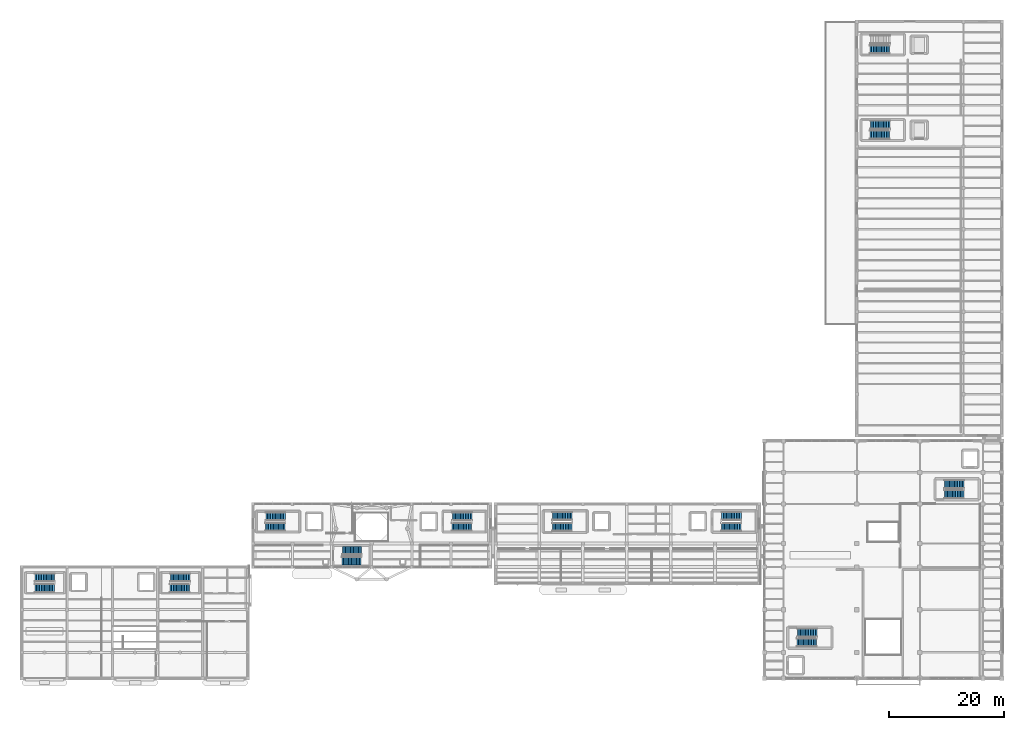
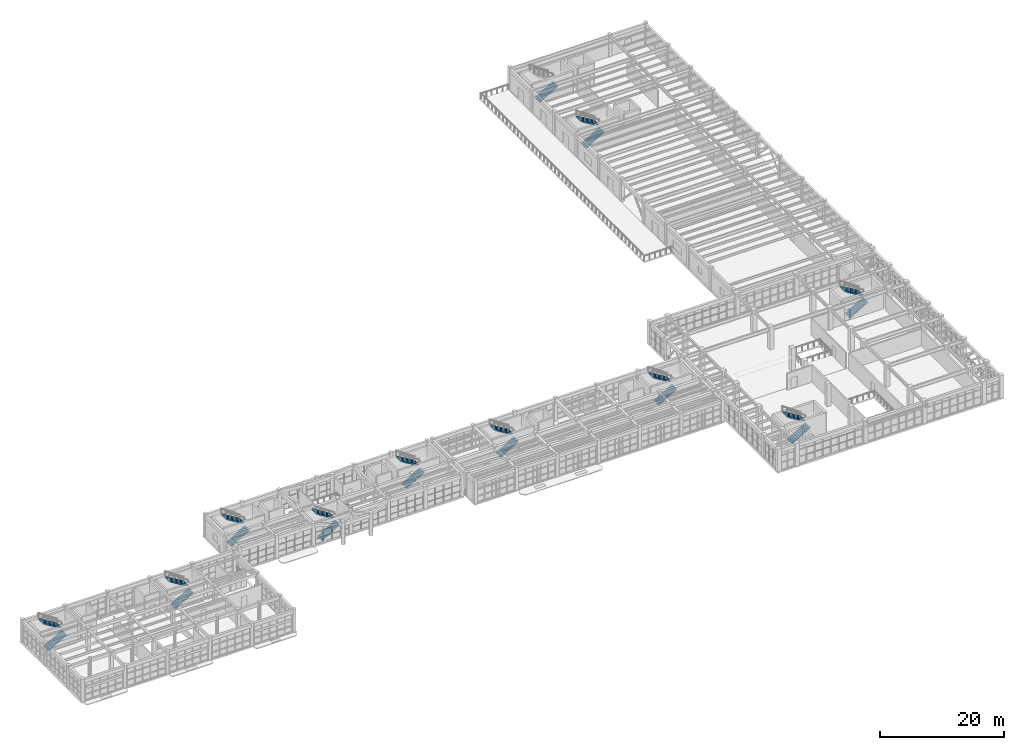
# One storey, part 73 of 85: 21 stair flights, 11 elements without a shape of their own.
"""IFC4 building model written with IfcOpenShell, lengths in metres."""

from ifc_helpers import new_model, si_unit, direction, frame, origin, place, context, subcontext, project, spatial, polyline, outline, extrude, material, type_object, element, aggregate, save


model = new_model("IFC4")

# Units and contexts
model_context = context("Model", 3, precision=1e-05, world=origin(), true_north=direction((0.0, 1.0)))
body_context = subcontext(model_context, "Body", "Model", "MODEL_VIEW")
ifc_project = project(units=[si_unit("LENGTHUNIT", "METRE"), si_unit("AREAUNIT", "SQUARE_METRE"), si_unit("VOLUMEUNIT", "CUBIC_METRE"), si_unit("PLANEANGLEUNIT", "RADIAN"), si_unit("MASSUNIT", "GRAM", prefix="KILO")], contexts=[model_context])

# Site, building, storey
site_placement = place(None, origin())
site = spatial("IfcSite", under=ifc_project, at=site_placement, CompositionType="ELEMENT")
building_placement = place(site_placement, origin())
building = spatial("IfcBuilding", under=site, at=building_placement, Name="Candilejo Ridge Gondola Terminal", CompositionType="ELEMENT")
storey_placement = place(building_placement, frame((0.0, 0.0, 4.5)))
storey = spatial("IfcBuildingStorey", under=building, at=storey_placement, Name="L01", CompositionType="ELEMENT", Elevation=4.5)

# Stair, stair flights
ifc_material_1 = material(Name="Concrete f'c 35 MPa (C35/45)", Category="concrete")
stair_type_1 = type_object("IfcStairType", Name="STR-STAIR-1450-4500", PredefinedType="HALF_TURN_STAIR", material=ifc_material_1)
stair_1_placement = place(storey_placement, origin())
stair_1 = element("IfcStair", 1, at=stair_1_placement, inside=storey, type_object=stair_type_1, Name="Enclosed fire exit stair ST-V1A-L01", PredefinedType="HALF_TURN_STAIR")
ifc_material_2 = material(Name="Concrete f'c 35 MPa (C35/45)", Category="concrete")
stair_flight_type_1 = type_object("IfcStairFlightType", Name="STR-FLIGHT-CORE-1450", PredefinedType="STRAIGHT", material=ifc_material_2)
stair_flight_1_placement = place(storey_placement, frame((6.550048828125, 21.989990234375, 0.0), z_axis=(0.0, 0.0, 1.0), x_axis=(1.0, 0.0, 0.0)))
stair_flight_1 = element("IfcStairFlight", 2, at=stair_flight_1_placement, type_object=stair_flight_type_1, Name="Stair flight ST-V1A-F03", NumberOfRisers=13, NumberOfTreads=12, PredefinedType="STRAIGHT", RiserHeight=0.17308, TreadLength=0.285, context=body_context, shape_type="SweptSolid", body=[
    extrude(outline(polyline([(0.0, 0.0), (0.0, 0.173095703125), (0.284912109375, 0.173095703125), (0.284912109375, 0.34619140625), (0.570068359375, 0.34619140625), (0.570068359375, 0.519287109375), (0.85498046875, 0.519287109375), (0.85498046875, 0.6923828125), (1.139892578125, 0.6923828125), (1.139892578125, 0.865478515625), (1.425048828125, 0.865478515625), (1.425048828125, 1.03857421875), (1.7099609375, 1.03857421875), (1.7099609375, 1.211669921875), (1.9951171875, 1.211669921875), (1.9951171875, 1.384521484375), (2.280029296875, 1.384521484375), (2.280029296875, 1.5576171875), (2.56494140625, 1.5576171875), (2.56494140625, 1.730712890625), (2.85009765625, 1.730712890625), (2.85009765625, 1.90380859375), (3.135009765625, 1.90380859375), (3.135009765625, 2.076904296875), (3.419921875, 2.076904296875), (3.419921875, 2.25), (3.419921875, 1.866455078125), (0.3466796875, 0.0), (0.0, 0.0)])), frame((0.0, 0.72509765625, 0.0), z_axis=(0.0, -1.0, 0.0), x_axis=(1.0, 0.0, 0.0)), (0.0, 0.0, 1.0), 1.449951171875),
])
stair_flight_2_placement = place(storey_placement, frame((10.030029296875, 23.860107421875, 2.25), z_axis=(0.0, 0.0, 1.0), x_axis=(-1.0, 0.0, 0.0)))
stair_flight_2 = element("IfcStairFlight", 3, at=stair_flight_2_placement, type_object=stair_flight_type_1, Name="Stair flight ST-V1A-F04", NumberOfRisers=13, NumberOfTreads=12, PredefinedType="STRAIGHT", RiserHeight=0.17308, TreadLength=0.285, context=body_context, shape_type="SweptSolid", body=[
    extrude(outline(polyline([(0.0, 0.0), (0.0, 0.173095703125), (0.284912109375, 0.173095703125), (0.284912109375, 0.34619140625), (0.570068359375, 0.34619140625), (0.570068359375, 0.519287109375), (0.85498046875, 0.519287109375), (0.85498046875, 0.6923828125), (1.139892578125, 0.6923828125), (1.139892578125, 0.865478515625), (1.425048828125, 0.865478515625), (1.425048828125, 1.03857421875), (1.7099609375, 1.03857421875), (1.7099609375, 1.211669921875), (1.9951171875, 1.211669921875), (1.9951171875, 1.384521484375), (2.280029296875, 1.384521484375), (2.280029296875, 1.5576171875), (2.56494140625, 1.5576171875), (2.56494140625, 1.730712890625), (2.85009765625, 1.730712890625), (2.85009765625, 1.90380859375), (3.135009765625, 1.90380859375), (3.135009765625, 2.076904296875), (3.419921875, 2.076904296875), (3.419921875, 2.25), (3.419921875, 1.866455078125), (0.3466796875, 0.0), (0.0, 0.0)])), frame((0.0, 0.72509765625, 0.0), z_axis=(0.0, -1.0, 0.0), x_axis=(1.0, 0.0, 0.0)), (0.0, 0.0, 1.0), 1.449951171875),
])
aggregate(stair_1, [stair_flight_1, stair_flight_2])

stair_2_placement = place(storey_placement, origin())
stair_2 = element("IfcStair", 4, at=stair_2_placement, inside=storey, type_object=stair_type_1, Name="Enclosed fire exit stair ST-V1B-L01", PredefinedType="HALF_TURN_STAIR")
stair_flight_3_placement = place(storey_placement, frame((30.14990234375, 21.989990234375, 0.0), z_axis=(0.0, 0.0, 1.0), x_axis=(1.0, 0.0, 0.0)))
stair_flight_3 = element("IfcStairFlight", 5, at=stair_flight_3_placement, type_object=stair_flight_type_1, Name="Stair flight ST-V1B-F03", NumberOfRisers=13, NumberOfTreads=12, PredefinedType="STRAIGHT", RiserHeight=0.17308, TreadLength=0.285, context=body_context, shape_type="SweptSolid", body=[
    extrude(outline(polyline([(0.0, 0.0), (0.0, 0.173095703125), (0.284912109375, 0.173095703125), (0.284912109375, 0.34619140625), (0.570068359375, 0.34619140625), (0.570068359375, 0.519287109375), (0.85498046875, 0.519287109375), (0.85498046875, 0.6923828125), (1.139892578125, 0.6923828125), (1.139892578125, 0.865478515625), (1.425048828125, 0.865478515625), (1.425048828125, 1.03857421875), (1.7099609375, 1.03857421875), (1.7099609375, 1.211669921875), (1.9951171875, 1.211669921875), (1.9951171875, 1.384521484375), (2.280029296875, 1.384521484375), (2.280029296875, 1.5576171875), (2.56494140625, 1.5576171875), (2.56494140625, 1.730712890625), (2.85009765625, 1.730712890625), (2.85009765625, 1.90380859375), (3.135009765625, 1.90380859375), (3.135009765625, 2.076904296875), (3.419921875, 2.076904296875), (3.419921875, 2.25), (3.419921875, 1.866455078125), (0.3466796875, 0.0), (0.0, 0.0)])), frame((0.0, 0.72509765625, 0.0), z_axis=(0.0, -1.0, 0.0), x_axis=(1.0, 0.0, 0.0)), (0.0, 0.0, 1.0), 1.449951171875),
])
stair_flight_4_placement = place(storey_placement, frame((33.6298828125, 23.860107421875, 2.25), z_axis=(0.0, 0.0, 1.0), x_axis=(-1.0, 0.0, 0.0)))
stair_flight_4 = element("IfcStairFlight", 6, at=stair_flight_4_placement, type_object=stair_flight_type_1, Name="Stair flight ST-V1B-F04", NumberOfRisers=13, NumberOfTreads=12, PredefinedType="STRAIGHT", RiserHeight=0.17308, TreadLength=0.285, context=body_context, shape_type="SweptSolid", body=[
    extrude(outline(polyline([(0.0, 0.0), (0.0, 0.173095703125), (0.284912109375, 0.173095703125), (0.284912109375, 0.34619140625), (0.570068359375, 0.34619140625), (0.570068359375, 0.519287109375), (0.85498046875, 0.519287109375), (0.85498046875, 0.6923828125), (1.139892578125, 0.6923828125), (1.139892578125, 0.865478515625), (1.425048828125, 0.865478515625), (1.425048828125, 1.03857421875), (1.7099609375, 1.03857421875), (1.7099609375, 1.211669921875), (1.9951171875, 1.211669921875), (1.9951171875, 1.384521484375), (2.280029296875, 1.384521484375), (2.280029296875, 1.5576171875), (2.56494140625, 1.5576171875), (2.56494140625, 1.730712890625), (2.85009765625, 1.730712890625), (2.85009765625, 1.90380859375), (3.135009765625, 1.90380859375), (3.135009765625, 2.076904296875), (3.419921875, 2.076904296875), (3.419921875, 2.25), (3.419921875, 1.866455078125), (0.3466796875, 0.0), (0.0, 0.0)])), frame((0.0, 0.72509765625, 0.0), z_axis=(0.0, -1.0, 0.0), x_axis=(1.0, 0.0, 0.0)), (0.0, 0.0, 1.0), 1.449951171875),
])
aggregate(stair_2, [stair_flight_3, stair_flight_4])

stair_3_placement = place(storey_placement, origin())
stair_3 = element("IfcStair", 7, at=stair_3_placement, inside=storey, type_object=stair_type_1, Name="Enclosed fire exit stair ST-V2A-L01", PredefinedType="HALF_TURN_STAIR")
stair_flight_5_placement = place(storey_placement, frame((46.800048828125, 32.68994140625, 0.0), z_axis=(0.0, 0.0, 1.0), x_axis=(1.0, 0.0, 0.0)))
stair_flight_5 = element("IfcStairFlight", 8, at=stair_flight_5_placement, type_object=stair_flight_type_1, Name="Stair flight ST-V2A-F03", NumberOfRisers=13, NumberOfTreads=12, PredefinedType="STRAIGHT", RiserHeight=0.17308, TreadLength=0.285, context=body_context, shape_type="SweptSolid", body=[
    extrude(outline(polyline([(0.0, 0.0), (0.0, 0.173095703125), (0.284912109375, 0.173095703125), (0.284912109375, 0.34619140625), (0.570068359375, 0.34619140625), (0.570068359375, 0.519287109375), (0.85498046875, 0.519287109375), (0.85498046875, 0.6923828125), (1.139892578125, 0.6923828125), (1.139892578125, 0.865478515625), (1.425048828125, 0.865478515625), (1.425048828125, 1.03857421875), (1.7099609375, 1.03857421875), (1.7099609375, 1.211669921875), (1.9951171875, 1.211669921875), (1.9951171875, 1.384521484375), (2.280029296875, 1.384521484375), (2.280029296875, 1.5576171875), (2.56494140625, 1.5576171875), (2.56494140625, 1.730712890625), (2.85009765625, 1.730712890625), (2.85009765625, 1.90380859375), (3.135009765625, 1.90380859375), (3.135009765625, 2.076904296875), (3.419921875, 2.076904296875), (3.419921875, 2.25), (3.419921875, 1.866455078125), (0.3466796875, 0.0), (0.0, 0.0)])), frame((0.0, 0.72509765625, 0.0), z_axis=(0.0, -1.0, 0.0), x_axis=(1.0, 0.0, 0.0)), (0.0, 0.0, 1.0), 1.449951171875),
])
stair_flight_6_placement = place(storey_placement, frame((50.280029296875, 34.56005859375, 2.25), z_axis=(0.0, 0.0, 1.0), x_axis=(-1.0, 0.0, 0.0)))
stair_flight_6 = element("IfcStairFlight", 9, at=stair_flight_6_placement, type_object=stair_flight_type_1, Name="Stair flight ST-V2A-F04", NumberOfRisers=13, NumberOfTreads=12, PredefinedType="STRAIGHT", RiserHeight=0.17308, TreadLength=0.285, context=body_context, shape_type="SweptSolid", body=[
    extrude(outline(polyline([(0.0, 0.0), (0.0, 0.173095703125), (0.284912109375, 0.173095703125), (0.284912109375, 0.34619140625), (0.570068359375, 0.34619140625), (0.570068359375, 0.519287109375), (0.85498046875, 0.519287109375), (0.85498046875, 0.6923828125), (1.139892578125, 0.6923828125), (1.139892578125, 0.865478515625), (1.425048828125, 0.865478515625), (1.425048828125, 1.03857421875), (1.7099609375, 1.03857421875), (1.7099609375, 1.211669921875), (1.9951171875, 1.211669921875), (1.9951171875, 1.384521484375), (2.280029296875, 1.384521484375), (2.280029296875, 1.5576171875), (2.56494140625, 1.5576171875), (2.56494140625, 1.730712890625), (2.85009765625, 1.730712890625), (2.85009765625, 1.90380859375), (3.135009765625, 1.90380859375), (3.135009765625, 2.076904296875), (3.419921875, 2.076904296875), (3.419921875, 2.25), (3.419921875, 1.866455078125), (0.3466796875, 0.0), (0.0, 0.0)])), frame((0.0, 0.72509765625, 0.0), z_axis=(0.0, -1.0, 0.0), x_axis=(1.0, 0.0, 0.0)), (0.0, 0.0, 1.0), 1.449951171875),
])
aggregate(stair_3, [stair_flight_5, stair_flight_6])

stair_4_placement = place(storey_placement, origin())
stair_4 = element("IfcStair", 10, at=stair_4_placement, inside=storey, type_object=stair_type_1, Name="Enclosed fire exit stair ST-V2B-L01", PredefinedType="HALF_TURN_STAIR")
stair_flight_7_placement = place(storey_placement, frame((79.35009765625, 32.68994140625, 0.0), z_axis=(0.0, 0.0, 1.0), x_axis=(1.0, 0.0, 0.0)))
stair_flight_7 = element("IfcStairFlight", 11, at=stair_flight_7_placement, type_object=stair_flight_type_1, Name="Stair flight ST-V2B-F03", NumberOfRisers=13, NumberOfTreads=12, PredefinedType="STRAIGHT", RiserHeight=0.17308, TreadLength=0.285, context=body_context, shape_type="SweptSolid", body=[
    extrude(outline(polyline([(0.0, 0.0), (0.0, 0.173095703125), (0.284912109375, 0.173095703125), (0.284912109375, 0.34619140625), (0.570068359375, 0.34619140625), (0.570068359375, 0.519287109375), (0.85498046875, 0.519287109375), (0.85498046875, 0.6923828125), (1.139892578125, 0.6923828125), (1.139892578125, 0.865478515625), (1.425048828125, 0.865478515625), (1.425048828125, 1.03857421875), (1.7099609375, 1.03857421875), (1.7099609375, 1.211669921875), (1.9951171875, 1.211669921875), (1.9951171875, 1.384521484375), (2.280029296875, 1.384521484375), (2.280029296875, 1.5576171875), (2.56494140625, 1.5576171875), (2.56494140625, 1.730712890625), (2.85009765625, 1.730712890625), (2.85009765625, 1.90380859375), (3.135009765625, 1.90380859375), (3.135009765625, 2.076904296875), (3.419921875, 2.076904296875), (3.419921875, 2.25), (3.419921875, 1.866455078125), (0.3466796875, 0.0), (0.0, 0.0)])), frame((0.0, 0.72509765625, 0.0), z_axis=(0.0, -1.0, 0.0), x_axis=(1.0, 0.0, 0.0)), (0.0, 0.0, 1.0), 1.449951171875),
])
stair_flight_8_placement = place(storey_placement, frame((82.830078125, 34.56005859375, 2.25), z_axis=(0.0, 0.0, 1.0), x_axis=(-1.0, 0.0, 0.0)))
stair_flight_8 = element("IfcStairFlight", 12, at=stair_flight_8_placement, type_object=stair_flight_type_1, Name="Stair flight ST-V2B-F04", NumberOfRisers=13, NumberOfTreads=12, PredefinedType="STRAIGHT", RiserHeight=0.17308, TreadLength=0.285, context=body_context, shape_type="SweptSolid", body=[
    extrude(outline(polyline([(0.0, 0.0), (0.0, 0.173095703125), (0.284912109375, 0.173095703125), (0.284912109375, 0.34619140625), (0.570068359375, 0.34619140625), (0.570068359375, 0.519287109375), (0.85498046875, 0.519287109375), (0.85498046875, 0.6923828125), (1.139892578125, 0.6923828125), (1.139892578125, 0.865478515625), (1.425048828125, 0.865478515625), (1.425048828125, 1.03857421875), (1.7099609375, 1.03857421875), (1.7099609375, 1.211669921875), (1.9951171875, 1.211669921875), (1.9951171875, 1.384521484375), (2.280029296875, 1.384521484375), (2.280029296875, 1.5576171875), (2.56494140625, 1.5576171875), (2.56494140625, 1.730712890625), (2.85009765625, 1.730712890625), (2.85009765625, 1.90380859375), (3.135009765625, 1.90380859375), (3.135009765625, 2.076904296875), (3.419921875, 2.076904296875), (3.419921875, 2.25), (3.419921875, 1.866455078125), (0.3466796875, 0.0), (0.0, 0.0)])), frame((0.0, 0.72509765625, 0.0), z_axis=(0.0, -1.0, 0.0), x_axis=(1.0, 0.0, 0.0)), (0.0, 0.0, 1.0), 1.449951171875),
])
aggregate(stair_4, [stair_flight_7, stair_flight_8])

stair_5_placement = place(storey_placement, origin())
stair_5 = element("IfcStair", 13, at=stair_5_placement, inside=storey, type_object=stair_type_1, Name="Enclosed fire exit stair ST-V3A-L01", PredefinedType="HALF_TURN_STAIR")
stair_flight_9_placement = place(storey_placement, frame((96.85009765625, 32.652587890625, 0.0), z_axis=(0.0, 0.0, 1.0), x_axis=(1.0, 0.0, 0.0)))
stair_flight_9 = element("IfcStairFlight", 14, at=stair_flight_9_placement, type_object=stair_flight_type_1, Name="Stair flight ST-V3A-F03", NumberOfRisers=13, NumberOfTreads=12, PredefinedType="STRAIGHT", RiserHeight=0.17308, TreadLength=0.285, context=body_context, shape_type="SweptSolid", body=[
    extrude(outline(polyline([(0.0, 0.0), (0.0, 0.173095703125), (0.284912109375, 0.173095703125), (0.284912109375, 0.34619140625), (0.570068359375, 0.34619140625), (0.570068359375, 0.519287109375), (0.85498046875, 0.519287109375), (0.85498046875, 0.6923828125), (1.139892578125, 0.6923828125), (1.139892578125, 0.865478515625), (1.425048828125, 0.865478515625), (1.425048828125, 1.03857421875), (1.7099609375, 1.03857421875), (1.7099609375, 1.211669921875), (1.9951171875, 1.211669921875), (1.9951171875, 1.384521484375), (2.280029296875, 1.384521484375), (2.280029296875, 1.5576171875), (2.56494140625, 1.5576171875), (2.56494140625, 1.730712890625), (2.85009765625, 1.730712890625), (2.85009765625, 1.90380859375), (3.135009765625, 1.90380859375), (3.135009765625, 2.076904296875), (3.419921875, 2.076904296875), (3.419921875, 2.25), (3.419921875, 1.866455078125), (0.3466796875, 0.0), (0.0, 0.0)])), frame((0.0, 0.72509765625, 0.0), z_axis=(0.0, -1.0, 0.0), x_axis=(1.0, 0.0, 0.0)), (0.0, 0.0, 1.0), 1.449951171875),
])
stair_flight_10_placement = place(storey_placement, frame((100.330078125, 34.597412109375, 2.25), z_axis=(0.0, 0.0, 1.0), x_axis=(-1.0, 0.0, 0.0)))
stair_flight_10 = element("IfcStairFlight", 15, at=stair_flight_10_placement, type_object=stair_flight_type_1, Name="Stair flight ST-V3A-F04", NumberOfRisers=13, NumberOfTreads=12, PredefinedType="STRAIGHT", RiserHeight=0.17308, TreadLength=0.285, context=body_context, shape_type="SweptSolid", body=[
    extrude(outline(polyline([(0.0, 0.0), (0.0, 0.173095703125), (0.284912109375, 0.173095703125), (0.284912109375, 0.34619140625), (0.570068359375, 0.34619140625), (0.570068359375, 0.519287109375), (0.85498046875, 0.519287109375), (0.85498046875, 0.6923828125), (1.139892578125, 0.6923828125), (1.139892578125, 0.865478515625), (1.425048828125, 0.865478515625), (1.425048828125, 1.03857421875), (1.7099609375, 1.03857421875), (1.7099609375, 1.211669921875), (1.9951171875, 1.211669921875), (1.9951171875, 1.384521484375), (2.280029296875, 1.384521484375), (2.280029296875, 1.5576171875), (2.56494140625, 1.5576171875), (2.56494140625, 1.730712890625), (2.85009765625, 1.730712890625), (2.85009765625, 1.90380859375), (3.135009765625, 1.90380859375), (3.135009765625, 2.076904296875), (3.419921875, 2.076904296875), (3.419921875, 2.25), (3.419921875, 1.866455078125), (0.3466796875, 0.0), (0.0, 0.0)])), frame((0.0, 0.72509765625, 0.0), z_axis=(0.0, -1.0, 0.0), x_axis=(1.0, 0.0, 0.0)), (0.0, 0.0, 1.0), 1.449951171875),
])
aggregate(stair_5, [stair_flight_9, stair_flight_10])

stair_6_placement = place(storey_placement, origin())
stair_6 = element("IfcStair", 16, at=stair_6_placement, inside=storey, type_object=stair_type_1, Name="Enclosed fire exit stair ST-V3B-L01", PredefinedType="HALF_TURN_STAIR")
stair_flight_11_placement = place(storey_placement, frame((126.35009765625, 32.652587890625, 0.0), z_axis=(0.0, 0.0, 1.0), x_axis=(1.0, 0.0, 0.0)))
stair_flight_11 = element("IfcStairFlight", 17, at=stair_flight_11_placement, type_object=stair_flight_type_1, Name="Stair flight ST-V3B-F03", NumberOfRisers=13, NumberOfTreads=12, PredefinedType="STRAIGHT", RiserHeight=0.17308, TreadLength=0.285, context=body_context, shape_type="SweptSolid", body=[
    extrude(outline(polyline([(0.0, 0.0), (0.0, 0.173095703125), (0.284912109375, 0.173095703125), (0.284912109375, 0.34619140625), (0.570068359375, 0.34619140625), (0.570068359375, 0.519287109375), (0.85498046875, 0.519287109375), (0.85498046875, 0.6923828125), (1.139892578125, 0.6923828125), (1.139892578125, 0.865478515625), (1.425048828125, 0.865478515625), (1.425048828125, 1.03857421875), (1.7099609375, 1.03857421875), (1.7099609375, 1.211669921875), (1.9951171875, 1.211669921875), (1.9951171875, 1.384521484375), (2.280029296875, 1.384521484375), (2.280029296875, 1.5576171875), (2.56494140625, 1.5576171875), (2.56494140625, 1.730712890625), (2.85009765625, 1.730712890625), (2.85009765625, 1.90380859375), (3.135009765625, 1.90380859375), (3.135009765625, 2.076904296875), (3.419921875, 2.076904296875), (3.419921875, 2.25), (3.419921875, 1.866455078125), (0.3466796875, 0.0), (0.0, 0.0)])), frame((0.0, 0.72509765625, 0.0), z_axis=(0.0, -1.0, 0.0), x_axis=(1.0, 0.0, 0.0)), (0.0, 0.0, 1.0), 1.449951171875),
])
stair_flight_12_placement = place(storey_placement, frame((129.830078125, 34.597412109375, 2.25), z_axis=(0.0, 0.0, 1.0), x_axis=(-1.0, 0.0, 0.0)))
stair_flight_12 = element("IfcStairFlight", 18, at=stair_flight_12_placement, type_object=stair_flight_type_1, Name="Stair flight ST-V3B-F04", NumberOfRisers=13, NumberOfTreads=12, PredefinedType="STRAIGHT", RiserHeight=0.17308, TreadLength=0.285, context=body_context, shape_type="SweptSolid", body=[
    extrude(outline(polyline([(0.0, 0.0), (0.0, 0.173095703125), (0.284912109375, 0.173095703125), (0.284912109375, 0.34619140625), (0.570068359375, 0.34619140625), (0.570068359375, 0.519287109375), (0.85498046875, 0.519287109375), (0.85498046875, 0.6923828125), (1.139892578125, 0.6923828125), (1.139892578125, 0.865478515625), (1.425048828125, 0.865478515625), (1.425048828125, 1.03857421875), (1.7099609375, 1.03857421875), (1.7099609375, 1.211669921875), (1.9951171875, 1.211669921875), (1.9951171875, 1.384521484375), (2.280029296875, 1.384521484375), (2.280029296875, 1.5576171875), (2.56494140625, 1.5576171875), (2.56494140625, 1.730712890625), (2.85009765625, 1.730712890625), (2.85009765625, 1.90380859375), (3.135009765625, 1.90380859375), (3.135009765625, 2.076904296875), (3.419921875, 2.076904296875), (3.419921875, 2.25), (3.419921875, 1.866455078125), (0.3466796875, 0.0), (0.0, 0.0)])), frame((0.0, 0.72509765625, 0.0), z_axis=(0.0, -1.0, 0.0), x_axis=(1.0, 0.0, 0.0)), (0.0, 0.0, 1.0), 1.449951171875),
])
aggregate(stair_6, [stair_flight_11, stair_flight_12])

ifc_material_3 = material(Name="Concrete f'c 35 MPa (C35/45)", Category="concrete")
stair_type_2 = type_object("IfcStairType", Name="STR-STAIR-PUB-1450", PredefinedType="HALF_TURN_STAIR", material=ifc_material_3)
stair_7_placement = place(storey_placement, origin())
stair_7 = element("IfcStair", 19, at=stair_7_placement, inside=storey, type_object=stair_type_2, Name="Public concourse stair ST-PUB-02 (L01)", PredefinedType="HALF_TURN_STAIR")
stair_flight_13_placement = place(storey_placement, frame((60.159912109375, 26.739990234375, 0.0), z_axis=(0.0, 0.0, 1.0), x_axis=(1.0, 0.0, 0.0)))
stair_flight_13 = element("IfcStairFlight", 20, at=stair_flight_13_placement, type_object=stair_flight_type_1, Name="Public stair flight ST-P02-F01", NumberOfRisers=13, NumberOfTreads=12, PredefinedType="STRAIGHT", RiserHeight=0.17308, TreadLength=0.28, context=body_context, shape_type="SweptSolid", body=[
    extrude(outline(polyline([(0.0, 0.0), (0.0, 0.173095703125), (0.280029296875, 0.173095703125), (0.280029296875, 0.34619140625), (0.56005859375, 0.34619140625), (0.56005859375, 0.519287109375), (0.840087890625, 0.519287109375), (0.840087890625, 0.6923828125), (1.1201171875, 0.6923828125), (1.1201171875, 0.865478515625), (1.39990234375, 0.865478515625), (1.39990234375, 1.03857421875), (1.679931640625, 1.03857421875), (1.679931640625, 1.211669921875), (1.9599609375, 1.211669921875), (1.9599609375, 1.384521484375), (2.239990234375, 1.384521484375), (2.239990234375, 1.5576171875), (2.52001953125, 1.5576171875), (2.52001953125, 1.730712890625), (2.800048828125, 1.730712890625), (2.800048828125, 1.90380859375), (3.080078125, 1.90380859375), (3.080078125, 2.076904296875), (3.360107421875, 2.076904296875), (3.360107421875, 2.25), (3.360107421875, 1.865478515625), (0.34228515625, 0.0), (0.0, 0.0)])), frame((0.0, 0.72509765625, 0.0), z_axis=(0.0, -1.0, 0.0), x_axis=(1.0, 0.0, 0.0)), (0.0, 0.0, 1.0), 1.449951171875),
])
stair_flight_14_placement = place(storey_placement, frame((63.580078125, 28.56005859375, 2.25), z_axis=(0.0, 0.0, 1.0), x_axis=(-1.0, 0.0, 0.0)))
stair_flight_14 = element("IfcStairFlight", 21, at=stair_flight_14_placement, type_object=stair_flight_type_1, Name="Public stair flight ST-P02-F02", NumberOfRisers=13, NumberOfTreads=12, PredefinedType="STRAIGHT", RiserHeight=0.17308, TreadLength=0.28, context=body_context, shape_type="SweptSolid", body=[
    extrude(outline(polyline([(0.0, 0.0), (0.0, 0.173095703125), (0.280029296875, 0.173095703125), (0.280029296875, 0.34619140625), (0.56005859375, 0.34619140625), (0.56005859375, 0.519287109375), (0.840087890625, 0.519287109375), (0.840087890625, 0.6923828125), (1.1201171875, 0.6923828125), (1.1201171875, 0.865478515625), (1.39990234375, 0.865478515625), (1.39990234375, 1.03857421875), (1.679931640625, 1.03857421875), (1.679931640625, 1.211669921875), (1.9599609375, 1.211669921875), (1.9599609375, 1.384521484375), (2.239990234375, 1.384521484375), (2.239990234375, 1.5576171875), (2.52001953125, 1.5576171875), (2.52001953125, 1.730712890625), (2.800048828125, 1.730712890625), (2.800048828125, 1.90380859375), (3.080078125, 1.90380859375), (3.080078125, 2.076904296875), (3.360107421875, 2.076904296875), (3.360107421875, 2.25), (3.360107421875, 1.865478515625), (0.34228515625, 0.0), (0.0, 0.0)])), frame((0.0, 0.72509765625, 0.0), z_axis=(0.0, -1.0, 0.0), x_axis=(1.0, 0.0, 0.0)), (0.0, 0.0, 1.0), 1.449951171875),
])
aggregate(stair_7, [stair_flight_13, stair_flight_14])

ifc_material_4 = material(Name="Concrete f'c 35 MPa (C35/45)", Category="concrete")
stair_type_3 = type_object("IfcStairType", Name="STR-STAIR-1500-4500", PredefinedType="HALF_TURN_STAIR", material=ifc_material_4)
stair_8_placement = place(storey_placement, origin())
stair_8 = element("IfcStair", 22, at=stair_8_placement, inside=storey, type_object=stair_type_3, Name="Enclosed fire exit stair ST-V4A-L01", PredefinedType="HALF_TURN_STAIR")
ifc_material_5 = material(Name="Concrete f'c 35 MPa (C35/45)", Category="concrete")
stair_flight_type_2 = type_object("IfcStairFlightType", Name="STR-FLIGHT-CORE-1500", PredefinedType="STRAIGHT", material=ifc_material_5)
stair_flight_15_placement = place(storey_placement, frame((139.550048828125, 12.514892578125, 0.0), z_axis=(0.0, 0.0, 1.0), x_axis=(1.0, 0.0, 0.0)))
stair_flight_15 = element("IfcStairFlight", 23, at=stair_flight_15_placement, type_object=stair_flight_type_2, Name="Stair flight ST-V4A-F03", NumberOfRisers=13, NumberOfTreads=12, PredefinedType="STRAIGHT", RiserHeight=0.17308, TreadLength=0.285, context=body_context, shape_type="SweptSolid", body=[
    extrude(outline(polyline([(0.0, 0.0), (0.0, 0.173095703125), (0.284912109375, 0.173095703125), (0.284912109375, 0.34619140625), (0.570068359375, 0.34619140625), (0.570068359375, 0.519287109375), (0.85498046875, 0.519287109375), (0.85498046875, 0.6923828125), (1.139892578125, 0.6923828125), (1.139892578125, 0.865478515625), (1.425048828125, 0.865478515625), (1.425048828125, 1.03857421875), (1.7099609375, 1.03857421875), (1.7099609375, 1.211669921875), (1.9951171875, 1.211669921875), (1.9951171875, 1.384521484375), (2.280029296875, 1.384521484375), (2.280029296875, 1.5576171875), (2.56494140625, 1.5576171875), (2.56494140625, 1.730712890625), (2.85009765625, 1.730712890625), (2.85009765625, 1.90380859375), (3.135009765625, 1.90380859375), (3.135009765625, 2.076904296875), (3.419921875, 2.076904296875), (3.419921875, 2.25), (3.419921875, 1.866455078125), (0.3466796875, 0.0), (0.0, 0.0)])), frame((0.0, 0.75, 0.0), z_axis=(0.0, -1.0, 0.0), x_axis=(1.0, 0.0, 0.0)), (0.0, 0.0, 1.0), 1.5),
])
stair_flight_16_placement = place(storey_placement, frame((143.030029296875, 14.235107421875, 2.25), z_axis=(0.0, 0.0, 1.0), x_axis=(-1.0, 0.0, 0.0)))
stair_flight_16 = element("IfcStairFlight", 24, at=stair_flight_16_placement, type_object=stair_flight_type_2, Name="Stair flight ST-V4A-F04", NumberOfRisers=13, NumberOfTreads=12, PredefinedType="STRAIGHT", RiserHeight=0.17308, TreadLength=0.285, context=body_context, shape_type="SweptSolid", body=[
    extrude(outline(polyline([(0.0, 0.0), (0.0, 0.173095703125), (0.284912109375, 0.173095703125), (0.284912109375, 0.34619140625), (0.570068359375, 0.34619140625), (0.570068359375, 0.519287109375), (0.85498046875, 0.519287109375), (0.85498046875, 0.6923828125), (1.139892578125, 0.6923828125), (1.139892578125, 0.865478515625), (1.425048828125, 0.865478515625), (1.425048828125, 1.03857421875), (1.7099609375, 1.03857421875), (1.7099609375, 1.211669921875), (1.9951171875, 1.211669921875), (1.9951171875, 1.384521484375), (2.280029296875, 1.384521484375), (2.280029296875, 1.5576171875), (2.56494140625, 1.5576171875), (2.56494140625, 1.730712890625), (2.85009765625, 1.730712890625), (2.85009765625, 1.90380859375), (3.135009765625, 1.90380859375), (3.135009765625, 2.076904296875), (3.419921875, 2.076904296875), (3.419921875, 2.25), (3.419921875, 1.866455078125), (0.3466796875, 0.0), (0.0, 0.0)])), frame((0.0, 0.75, 0.0), z_axis=(0.0, -1.0, 0.0), x_axis=(1.0, 0.0, 0.0)), (0.0, 0.0, 1.0), 1.5),
])
aggregate(stair_8, [stair_flight_15, stair_flight_16])

stair_9_placement = place(storey_placement, origin())
stair_9 = element("IfcStair", 25, at=stair_9_placement, inside=storey, type_object=stair_type_3, Name="Enclosed fire exit stair ST-V4B-L01", PredefinedType="HALF_TURN_STAIR")
stair_flight_17_placement = place(storey_placement, frame((165.25, 38.4150390625, 0.0), z_axis=(0.0, 0.0, 1.0), x_axis=(1.0, 0.0, 0.0)))
stair_flight_17 = element("IfcStairFlight", 26, at=stair_flight_17_placement, type_object=stair_flight_type_2, Name="Stair flight ST-V4B-F03", NumberOfRisers=13, NumberOfTreads=12, PredefinedType="STRAIGHT", RiserHeight=0.17308, TreadLength=0.285, context=body_context, shape_type="SweptSolid", body=[
    extrude(outline(polyline([(0.0, 0.0), (0.0, 0.173095703125), (0.284912109375, 0.173095703125), (0.284912109375, 0.34619140625), (0.570068359375, 0.34619140625), (0.570068359375, 0.519287109375), (0.85498046875, 0.519287109375), (0.85498046875, 0.6923828125), (1.139892578125, 0.6923828125), (1.139892578125, 0.865478515625), (1.425048828125, 0.865478515625), (1.425048828125, 1.03857421875), (1.7099609375, 1.03857421875), (1.7099609375, 1.211669921875), (1.9951171875, 1.211669921875), (1.9951171875, 1.384521484375), (2.280029296875, 1.384521484375), (2.280029296875, 1.5576171875), (2.56494140625, 1.5576171875), (2.56494140625, 1.730712890625), (2.85009765625, 1.730712890625), (2.85009765625, 1.90380859375), (3.135009765625, 1.90380859375), (3.135009765625, 2.076904296875), (3.419921875, 2.076904296875), (3.419921875, 2.25), (3.419921875, 1.866455078125), (0.3466796875, 0.0), (0.0, 0.0)])), frame((0.0, 0.75, 0.0), z_axis=(0.0, -1.0, 0.0), x_axis=(1.0, 0.0, 0.0)), (0.0, 0.0, 1.0), 1.5),
])
stair_flight_18_placement = place(storey_placement, frame((168.72998046875, 40.135009765625, 2.25), z_axis=(0.0, 0.0, 1.0), x_axis=(-1.0, 0.0, 0.0)))
stair_flight_18 = element("IfcStairFlight", 27, at=stair_flight_18_placement, type_object=stair_flight_type_2, Name="Stair flight ST-V4B-F04", NumberOfRisers=13, NumberOfTreads=12, PredefinedType="STRAIGHT", RiserHeight=0.17308, TreadLength=0.285, context=body_context, shape_type="SweptSolid", body=[
    extrude(outline(polyline([(0.0, 0.0), (0.0, 0.173095703125), (0.284912109375, 0.173095703125), (0.284912109375, 0.34619140625), (0.570068359375, 0.34619140625), (0.570068359375, 0.519287109375), (0.85498046875, 0.519287109375), (0.85498046875, 0.6923828125), (1.139892578125, 0.6923828125), (1.139892578125, 0.865478515625), (1.425048828125, 0.865478515625), (1.425048828125, 1.03857421875), (1.7099609375, 1.03857421875), (1.7099609375, 1.211669921875), (1.9951171875, 1.211669921875), (1.9951171875, 1.384521484375), (2.280029296875, 1.384521484375), (2.280029296875, 1.5576171875), (2.56494140625, 1.5576171875), (2.56494140625, 1.730712890625), (2.85009765625, 1.730712890625), (2.85009765625, 1.90380859375), (3.135009765625, 1.90380859375), (3.135009765625, 2.076904296875), (3.419921875, 2.076904296875), (3.419921875, 2.25), (3.419921875, 1.866455078125), (0.3466796875, 0.0), (0.0, 0.0)])), frame((0.0, 0.75, 0.0), z_axis=(0.0, -1.0, 0.0), x_axis=(1.0, 0.0, 0.0)), (0.0, 0.0, 1.0), 1.5),
])
aggregate(stair_9, [stair_flight_17, stair_flight_18])

stair_10_placement = place(storey_placement, origin())
stair_10 = element("IfcStair", 28, at=stair_10_placement, inside=storey, type_object=stair_type_3, Name="Enclosed fire exit stair ST-V5A-L01", PredefinedType="HALF_TURN_STAIR")
stair_flight_19_placement = place(storey_placement, frame((152.300048828125, 101.090087890625, 0.0), z_axis=(0.0, 0.0, 1.0), x_axis=(1.0, 0.0, 0.0)))
stair_flight_19 = element("IfcStairFlight", 29, at=stair_flight_19_placement, type_object=stair_flight_type_2, Name="Stair flight ST-V5A-F01", NumberOfRisers=13, NumberOfTreads=12, PredefinedType="STRAIGHT", RiserHeight=0.17308, TreadLength=0.285, context=body_context, shape_type="SweptSolid", body=[
    extrude(outline(polyline([(0.0, 0.0), (0.0, 0.173095703125), (0.284912109375, 0.173095703125), (0.284912109375, 0.34619140625), (0.570068359375, 0.34619140625), (0.570068359375, 0.519287109375), (0.85498046875, 0.519287109375), (0.85498046875, 0.6923828125), (1.139892578125, 0.6923828125), (1.139892578125, 0.865478515625), (1.425048828125, 0.865478515625), (1.425048828125, 1.03857421875), (1.7099609375, 1.03857421875), (1.7099609375, 1.211669921875), (1.9951171875, 1.211669921875), (1.9951171875, 1.384521484375), (2.280029296875, 1.384521484375), (2.280029296875, 1.5576171875), (2.56494140625, 1.5576171875), (2.56494140625, 1.730712890625), (2.85009765625, 1.730712890625), (2.85009765625, 1.90380859375), (3.135009765625, 1.90380859375), (3.135009765625, 2.076904296875), (3.419921875, 2.076904296875), (3.419921875, 2.25), (3.419921875, 1.866455078125), (0.3466796875, 0.0), (0.0, 0.0)])), frame((0.0, 0.75, 0.0), z_axis=(0.0, -1.0, 0.0), x_axis=(1.0, 0.0, 0.0)), (0.0, 0.0, 1.0), 1.5),
])
stair_flight_20_placement = place(storey_placement, frame((155.780029296875, 102.860107421875, 2.25), z_axis=(0.0, 0.0, 1.0), x_axis=(-1.0, 0.0, 0.0)))
stair_flight_20 = element("IfcStairFlight", 30, at=stair_flight_20_placement, type_object=stair_flight_type_2, Name="Stair flight ST-V5A-F02", NumberOfRisers=13, NumberOfTreads=12, PredefinedType="STRAIGHT", RiserHeight=0.17308, TreadLength=0.285, context=body_context, shape_type="SweptSolid", body=[
    extrude(outline(polyline([(0.0, 0.0), (0.0, 0.173095703125), (0.284912109375, 0.173095703125), (0.284912109375, 0.34619140625), (0.570068359375, 0.34619140625), (0.570068359375, 0.519287109375), (0.85498046875, 0.519287109375), (0.85498046875, 0.6923828125), (1.139892578125, 0.6923828125), (1.139892578125, 0.865478515625), (1.425048828125, 0.865478515625), (1.425048828125, 1.03857421875), (1.7099609375, 1.03857421875), (1.7099609375, 1.211669921875), (1.9951171875, 1.211669921875), (1.9951171875, 1.384521484375), (2.280029296875, 1.384521484375), (2.280029296875, 1.5576171875), (2.56494140625, 1.5576171875), (2.56494140625, 1.730712890625), (2.85009765625, 1.730712890625), (2.85009765625, 1.90380859375), (3.135009765625, 1.90380859375), (3.135009765625, 2.076904296875), (3.419921875, 2.076904296875), (3.419921875, 2.25), (3.419921875, 1.866455078125), (0.3466796875, 0.0), (0.0, 0.0)])), frame((0.0, 0.75, 0.0), z_axis=(0.0, -1.0, 0.0), x_axis=(1.0, 0.0, 0.0)), (0.0, 0.0, 1.0), 1.5),
])
aggregate(stair_10, [stair_flight_19, stair_flight_20])

# Stair, stair flight
stair_11_placement = place(storey_placement, origin())
stair_11 = element("IfcStair", 31, at=stair_11_placement, inside=storey, type_object=stair_type_3, Name="Enclosed fire exit stair ST-V5B-L01", PredefinedType="HALF_TURN_STAIR")
stair_flight_21_placement = place(storey_placement, frame((152.300048828125, 115.989990234375, 0.0), z_axis=(0.0, 0.0, 1.0), x_axis=(1.0, 0.0, 0.0)))
stair_flight_21 = element("IfcStairFlight", 32, at=stair_flight_21_placement, type_object=stair_flight_type_2, Name="Stair flight ST-V5B-F01", NumberOfRisers=13, NumberOfTreads=12, PredefinedType="STRAIGHT", RiserHeight=0.17308, TreadLength=0.285, context=body_context, shape_type="SweptSolid", body=[
    extrude(outline(polyline([(0.0, 0.0), (0.0, 0.173095703125), (0.284912109375, 0.173095703125), (0.284912109375, 0.34619140625), (0.570068359375, 0.34619140625), (0.570068359375, 0.519287109375), (0.85498046875, 0.519287109375), (0.85498046875, 0.6923828125), (1.139892578125, 0.6923828125), (1.139892578125, 0.865478515625), (1.425048828125, 0.865478515625), (1.425048828125, 1.03857421875), (1.7099609375, 1.03857421875), (1.7099609375, 1.211669921875), (1.9951171875, 1.211669921875), (1.9951171875, 1.384521484375), (2.280029296875, 1.384521484375), (2.280029296875, 1.5576171875), (2.56494140625, 1.5576171875), (2.56494140625, 1.730712890625), (2.85009765625, 1.730712890625), (2.85009765625, 1.90380859375), (3.135009765625, 1.90380859375), (3.135009765625, 2.076904296875), (3.419921875, 2.076904296875), (3.419921875, 2.25), (3.419921875, 1.866455078125), (0.3466796875, 0.0), (0.0, 0.0)])), frame((0.0, 0.75, 0.0), z_axis=(0.0, -1.0, 0.0), x_axis=(1.0, 0.0, 0.0)), (0.0, 0.0, 1.0), 1.5),
])
aggregate(stair_11, [stair_flight_21])

save(model, "model.ifc")
